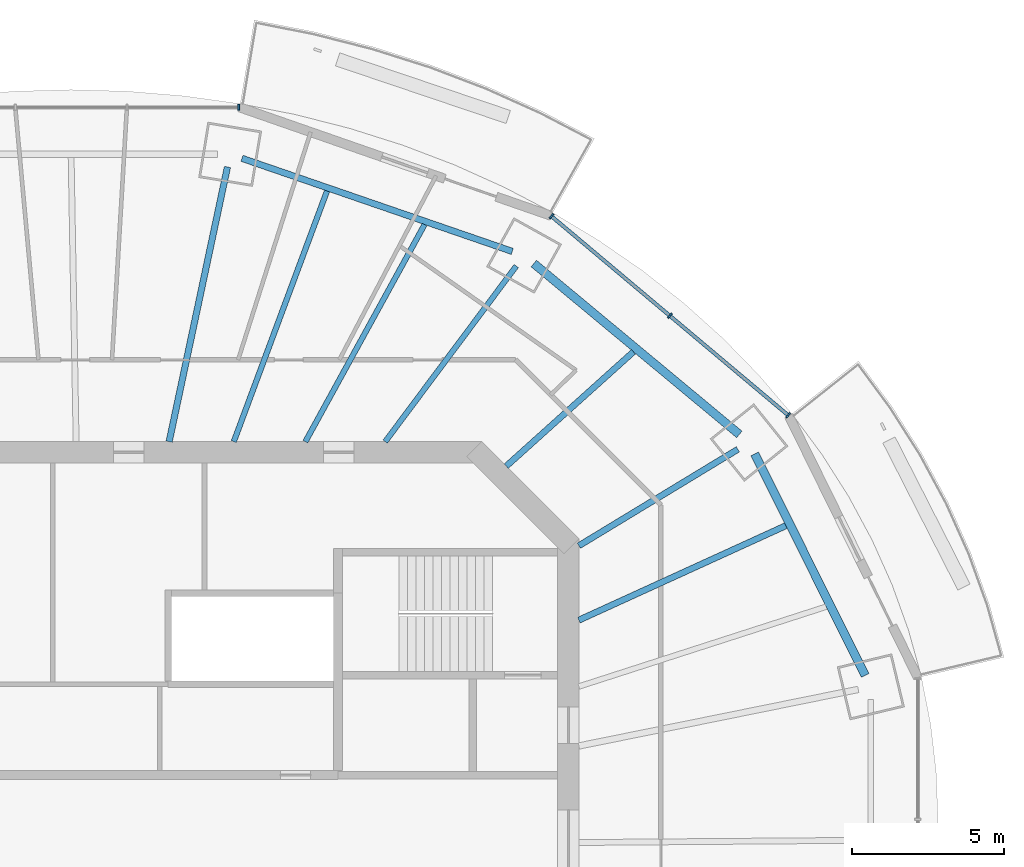
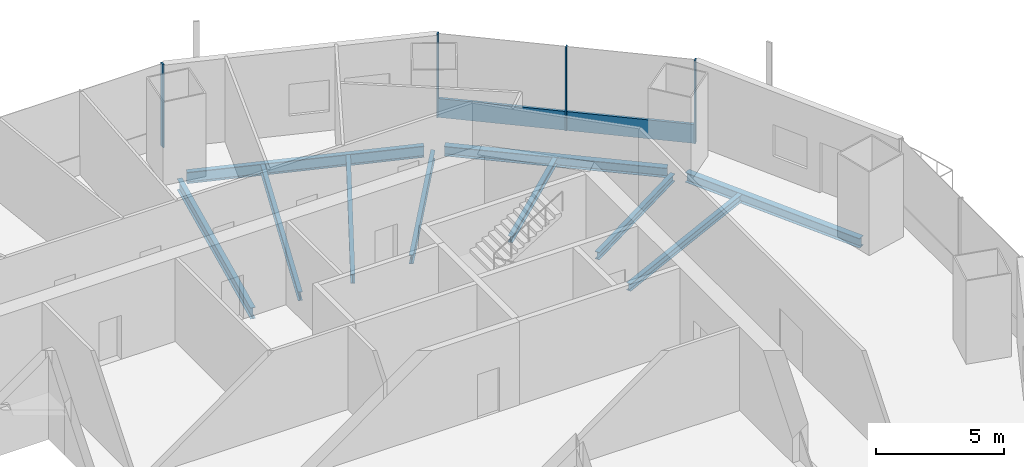
# One storey, part 6 of 16: 10 beams, 5 members, 2 elements without a shape of their own.
"""IFC4 building model written with IfcOpenShell, lengths in metres."""

import ifcopenshell
import ifcopenshell.guid

model = None  # the IFC model being written
_history = None  # IfcOwnerHistory: only IFC2X3 demands one
_inside = {}  # id of a spatial element -> (the spatial element, [elements in it])
_under = {}  # id of a project, library or spatial element -> (it, [spatial elements below it])
_declared = {}  # id of a project -> (the project, [libraries it declares])
_typed = {}  # id of a type object -> (the type object, [elements of that type])
_made_of = {}  # id of a material, layer set ... -> (it, [elements and type objects made of it])


def new_model(schema):
    """Start an empty IFC model of exactly this schema.

    Asked for "IFC4X3", IfcOpenShell would pick the latest addendum, in which some entities
    have other attributes; the version numbers below select the first issue.
    IFC2X3 requires an IfcOwnerHistory on every rooted entity: one is made here for all.
    """
    global model, _history
    if schema == "IFC4X3":
        model = ifcopenshell.file(schema_version=(4, 3, 0, 0))
    else:
        model = ifcopenshell.file(schema=schema)
    _inside.clear()
    _under.clear()
    _declared.clear()
    _typed.clear()
    _made_of.clear()
    _history = None
    if model.schema == "IFC2X3":
        org = make("IfcOrganization", Name="unknown")
        user = make(
            "IfcPersonAndOrganization",
            ThePerson=make("IfcPerson", FamilyName="unknown"),
            TheOrganization=org,
        )
        app = make(
            "IfcApplication",
            ApplicationDeveloper=org,
            Version="unknown",
            ApplicationFullName="unknown",
            ApplicationIdentifier="unknown",
        )
        _history = make(
            "IfcOwnerHistory",
            OwningUser=user,
            OwningApplication=app,
            ChangeAction="ADDED",
            CreationDate=0,
        )
    return model


def make(cls, **values):
    """One entity of the class cls with the attributes given. An attribute that is None is left unset."""
    return model.create_entity(
        cls, **{name: value for name, value in values.items() if value is not None}
    )


def rooted(cls, **values):
    """An entity with a GlobalId (a new one), such as an element, a storey or a relation."""
    return make(cls, GlobalId=ifcopenshell.guid.new(), OwnerHistory=_history, **values)


def si_unit(unit_type, name, prefix=None):
    """IfcSIUnit, for example si_unit("LENGTHUNIT", "METRE", prefix="MILLI")."""
    return make("IfcSIUnit", UnitType=unit_type, Prefix=prefix, Name=name)


def assignment(units):
    """IfcUnitAssignment: the units of a project."""
    return None if units is None else make("IfcUnitAssignment", Units=units)


def point(xyz):
    """IfcCartesianPoint."""
    return None if xyz is None else make("IfcCartesianPoint", Coordinates=xyz)


def direction(xyz):
    """IfcDirection."""
    return None if xyz is None else make("IfcDirection", DirectionRatios=xyz)


def frame(location, z_axis=None, x_axis=None):
    """IfcAxis2Placement3D, a coordinate frame: its origin and axes. An axis left out is left unset."""
    return make(
        "IfcAxis2Placement3D",
        Location=point(location),
        Axis=direction(z_axis),
        RefDirection=direction(x_axis),
    )


def frame_2d(location, x_axis=None):
    """IfcAxis2Placement2D, a coordinate frame in the plane: its origin and x axis."""
    return make(
        "IfcAxis2Placement2D", Location=point(location), RefDirection=direction(x_axis)
    )


def origin():
    """The frame at (0, 0, 0) with its axes left unset."""
    return frame((0.0, 0.0, 0.0))


def origin_2d():
    """The frame at (0, 0) in the plane with its x axis left unset."""
    return frame_2d((0.0, 0.0))


def place(relative_to, where):
    """IfcLocalPlacement: puts the frame where relative to a parent placement (None: the world)."""
    return make(
        "IfcLocalPlacement", PlacementRelTo=relative_to, RelativePlacement=where
    )


def context(
    kind, dimensions, precision=None, world=None, true_north=None, identifier=None
):
    """IfcGeometricRepresentationContext, for example the 3D "Model" context."""
    return make(
        "IfcGeometricRepresentationContext",
        ContextIdentifier=identifier,
        ContextType=kind,
        CoordinateSpaceDimension=dimensions,
        Precision=precision,
        WorldCoordinateSystem=world,
        TrueNorth=true_north,
    )


def subcontext(parent, identifier, kind, view, scale=None):
    """IfcGeometricRepresentationSubContext, for example "Body" below "Model"."""
    return make(
        "IfcGeometricRepresentationSubContext",
        ContextIdentifier=identifier,
        ContextType=kind,
        ParentContext=parent,
        TargetScale=scale,
        TargetView=view,
    )


def project(units=None, contexts=None):
    """IfcProject with its units and contexts."""
    return rooted(
        "IfcProject",
        Name="project",
        RepresentationContexts=contexts,
        UnitsInContext=assignment(units),
    )


def spatial(cls, under=None, at=None, **own):
    """A site, building, storey or space (cls), placed at a placement, below another one or the project."""
    s = rooted(cls, ObjectPlacement=at, **own)
    if under is not None:
        _under.setdefault(under.id(), (under, []))[1].append(s)
    return s


def profile(cls, at=None, kind="AREA", **sizes):
    """A parametric profile (cls). Its sizes go by their IFC names, for example OverallWidth=200.0."""
    return make(cls, ProfileType=kind, Position=at, **sizes)


def rectangle(**sizes):
    """IfcRectangleProfileDef."""
    return profile("IfcRectangleProfileDef", **sizes)


def i_section(**sizes):
    """IfcIShapeProfileDef."""
    return profile("IfcIShapeProfileDef", **sizes)


def extrude(swept, where, along, depth):
    """IfcExtrudedAreaSolid: the profile swept, set in the frame where, extruded along a direction by depth."""
    return make(
        "IfcExtrudedAreaSolid",
        SweptArea=swept,
        Position=where,
        ExtrudedDirection=direction(along),
        Depth=depth,
    )


def shape(context_of_items, identifier, shape_type, items):
    """IfcShapeRepresentation: the items that make up one representation, for example the "Body"."""
    return make(
        "IfcShapeRepresentation",
        ContextOfItems=context_of_items,
        RepresentationIdentifier=identifier,
        RepresentationType=shape_type,
        Items=items,
    )


def material(Name=None, Category=None):
    """IfcMaterial."""
    return make("IfcMaterial", Name=Name, Category=Category)


def material_profile(
    of_material, cross_section, Name=None, Category=None, Priority=None
):
    """IfcMaterialProfile: a cross section and its material."""
    return make(
        "IfcMaterialProfile",
        Name=Name,
        Material=of_material,
        Profile=cross_section,
        Priority=Priority,
        Category=Category,
    )


def profile_set(profiles, Name=None, composite=None):
    """IfcMaterialProfileSet."""
    return make(
        "IfcMaterialProfileSet",
        Name=Name,
        MaterialProfiles=profiles,
        CompositeProfile=composite,
    )


def made_of(thing, what):
    """Note that an element or type object is made of a material, layer set ...; save() writes the relation."""
    if what is not None:
        _made_of.setdefault(what.id(), (what, []))[1].append(thing)
    return thing


def type_object(cls, material=None, **own):
    """A type object (cls), such as IfcWallType, which elements share."""
    return made_of(rooted(cls, **own), material)


def element(
    cls,
    number,
    at=None,
    inside=None,
    cuts=None,
    type_object=None,
    material=None,
    context=None,
    identifier="Body",
    shape_type=None,
    held_by="IfcProductDefinitionShape",
    body=None,
    shapes=None,
    **own,
):
    """One element of the class cls, such as IfcWall. Its Tag is "e" and its number.

    at: its placement. inside: the storey or other place that contains it. cuts: it is an
    opening in that element (IfcRelVoidsElement). A single representation is given by context,
    identifier, shape_type and body (its items); several are given by shapes. held_by: the class
    of the entity that holds the representations. save() writes the other relations.
    """
    e = rooted(cls, Tag="e%d" % number, ObjectPlacement=at, **own)
    if body is not None:
        shapes = [shape(context, identifier, shape_type, body)]
    if shapes is not None:
        e.Representation = make(held_by, Representations=shapes)
    if inside is not None:
        _inside.setdefault(inside.id(), (inside, []))[1].append(e)
    if cuts is not None:
        rooted(
            "IfcRelVoidsElement", RelatingBuildingElement=cuts, RelatedOpeningElement=e
        )
    if type_object is not None:
        _typed.setdefault(type_object.id(), (type_object, []))[1].append(e)
    return made_of(e, material)


def aggregate(whole, parts):
    """IfcRelAggregates: a whole, such as a stair, and the parts it consists of."""
    return rooted("IfcRelAggregates", RelatingObject=whole, RelatedObjects=parts)


def save(model, path):
    """Write the relations noted so far, then the file.

    IfcRelAggregates (storeys below a building ...), IfcRelContainedInSpatialStructure (elements
    in a storey), IfcRelDefinesByType, IfcRelAssociatesMaterial and IfcRelDeclares: one each for
    every whole, place, type object, material and project.
    """
    for whole, parts in _under.values():
        aggregate(whole, parts)
    for where, things in _inside.values():
        rooted(
            "IfcRelContainedInSpatialStructure",
            RelatedElements=things,
            RelatingStructure=where,
        )
    for kind, things in _typed.values():
        rooted("IfcRelDefinesByType", RelatedObjects=things, RelatingType=kind)
    for what, things in _made_of.values():
        rooted("IfcRelAssociatesMaterial", RelatedObjects=things, RelatingMaterial=what)
    for by, libraries in _declared.values():
        rooted("IfcRelDeclares", RelatingContext=by, RelatedDefinitions=libraries)
    model.write(path)


model = new_model("IFC4")

# Units and contexts
model_context = context("Model", 3, precision=1e-05, world=origin(), true_north=direction((0.0, 1.0)))
body_context = subcontext(model_context, "Body", "Model", "MODEL_VIEW")
ifc_project = project(units=[si_unit("LENGTHUNIT", "METRE"), si_unit("AREAUNIT", "SQUARE_METRE"), si_unit("VOLUMEUNIT", "CUBIC_METRE"), si_unit("PLANEANGLEUNIT", "RADIAN"), si_unit("MASSUNIT", "GRAM", prefix="KILO")], contexts=[model_context])

# Site, building, storey
site_placement = place(None, origin())
site = spatial("IfcSite", under=ifc_project, at=site_placement, CompositionType="ELEMENT")
building_placement = place(site_placement, origin())
building = spatial("IfcBuilding", under=site, at=building_placement, Name="Marenthal Gate Tower", CompositionType="ELEMENT")
storey_placement = place(building_placement, frame((0.0, 0.0, 301.10009765625)))
storey = spatial("IfcBuildingStorey", under=building, at=storey_placement, Name="L67", CompositionType="ELEMENT", Elevation=301.10009765625)

# Curtain wall, members
ifc_material_1 = material(Name="Aluminium and glass", Category="aluminium")
curtain_wall_type = type_object("IfcCurtainWallType", Name="Curtain wall typical high", PredefinedType="NOTDEFINED", material=ifc_material_1)
curtain_wall_1_placement = place(storey_placement, origin())
curtain_wall_1 = element("IfcCurtainWall", 1, at=curtain_wall_1_placement, inside=storey, type_object=curtain_wall_type, Name="Curtain wall L67 bay 2", PredefinedType="NOTDEFINED")
ifc_material_2 = material(Name="Aluminium", Category="aluminium")
ifc_material_profile_1 = material_profile(ifc_material_2, rectangle(XDim=0.199951171875, YDim=0.06005859375, at=origin_2d()), Name="60x200 aluminium mullion")
ifc_profile_set_1 = profile_set([ifc_material_profile_1], Name="Aluminium")
member_type_1 = type_object("IfcMemberType", Name="Mullion 60x200 typical high", PredefinedType="MULLION", material=ifc_profile_set_1)
member_1_placement = place(storey_placement, frame((23.25390625, 14.218505859375, 0.0), z_axis=(0.0, 0.0, 1.0), x_axis=(-0.643479945432, -0.765462970905, 0.0)))
member_1 = element("IfcMember", 2, at=member_1_placement, type_object=member_type_1, Name="Mullion L67 bay 2.1", PredefinedType="MULLION", context=body_context, shape_type="SweptSolid", body=[
    extrude(rectangle(XDim=0.199951171875, YDim=0.06005859375, at=origin_2d()), origin(), (0.0, 0.0, 1.0), 3.969970703125),
])
member_2_placement = place(storey_placement, frame((19.3486328125, 17.50146484375, 0.0), z_axis=(0.0, 0.0, 1.0), x_axis=(-0.643479945432, -0.765462970905, 0.0)))
member_2 = element("IfcMember", 3, at=member_2_placement, type_object=member_type_1, Name="Mullion L67 bay 2.2", PredefinedType="MULLION", context=body_context, shape_type="SweptSolid", body=[
    extrude(rectangle(XDim=0.199951171875, YDim=0.06005859375, at=origin_2d()), origin(), (0.0, 0.0, 1.0), 3.969970703125),
])
member_3_placement = place(storey_placement, frame((15.443359375, 20.784423828125, 0.0), z_axis=(0.0, 0.0, 1.0), x_axis=(-0.643479945432, -0.765462970905, 0.0)))
member_3 = element("IfcMember", 4, at=member_3_placement, type_object=member_type_1, Name="Mullion L67 bay 2.3", PredefinedType="MULLION", context=body_context, shape_type="SweptSolid", body=[
    extrude(rectangle(XDim=0.199951171875, YDim=0.06005859375, at=origin_2d()), origin(), (0.0, 0.0, 1.0), 3.969970703125),
])

# Curtain wall, member
curtain_wall_2_placement = place(storey_placement, origin())
curtain_wall_2 = element("IfcCurtainWall", 5, at=curtain_wall_2_placement, inside=storey, type_object=curtain_wall_type, Name="Curtain wall L67 bay 4", PredefinedType="NOTDEFINED")
member_4_placement = place(storey_placement, frame((5.12548828125, 24.3779296875, 0.0), z_axis=(0.0, 0.0, 1.0), x_axis=(0.0, -1.0, 0.0)))
member_4 = element("IfcMember", 6, at=member_4_placement, type_object=member_type_1, Name="Mullion L67 bay 4.1", PredefinedType="MULLION", context=body_context, shape_type="SweptSolid", body=[
    extrude(rectangle(XDim=0.199951171875, YDim=0.06005859375, at=origin_2d()), origin(), (0.0, 0.0, 1.0), 3.969970703125),
])
aggregate(curtain_wall_2, [member_4])

# Member
ifc_material_3 = material(Name="Aluminium", Category="aluminium")
ifc_material_profile_2 = material_profile(ifc_material_3, rectangle(XDim=0.1201171875, YDim=0.89990234375, at=origin_2d()), Name="120x900 aluminium transom")
ifc_profile_set_2 = profile_set([ifc_material_profile_2], Name="Aluminium")
member_type_2 = type_object("IfcMemberType", Name="Transom 120x900 typical high", PredefinedType="USERDEFINED", material=ifc_profile_set_2)
member_5_placement = place(storey_placement, frame((23.23095703125, 14.23779296875, 0.449951171875), z_axis=(-0.765460155219, 0.643483294866, 0.0), x_axis=(-0.643483294866, -0.765460155219, 0.0)))
member_5 = element("IfcMember", 7, at=member_5_placement, type_object=member_type_2, Name="Transom L67 bay 2", ObjectType="TRANSOM", PredefinedType="USERDEFINED", context=body_context, shape_type="SweptSolid", body=[
    extrude(rectangle(XDim=0.1201171875, YDim=0.89990234375, at=origin_2d()), origin(), (0.0, 0.0, 1.0), 10.143798828125),
])

aggregate(curtain_wall_1, [member_1, member_2, member_3, member_5])

# Beams
ifc_material_4 = material(Name="Steel S355", Category="steel")
ifc_material_profile_3 = material_profile(ifc_material_4, i_section(OverallWidth=0.202880859375, OverallDepth=0.302001953125, WebThickness=0.007568359375, FlangeThickness=0.01318359375, FilletRadius=0.0126953125, at=origin_2d()), Name="W310X60")
ifc_profile_set_3 = profile_set([ifc_material_profile_3], Name="Steel S355")
beam_type_1 = type_object("IfcBeamType", Name="W310X60 beam", PredefinedType="BEAM", material=ifc_profile_set_3)
beam_1_placement = place(storey_placement, frame((18.148193359375, 16.3115234375, -0.3310546875), z_axis=(-0.743743846244, -0.668464726948, 0.0), x_axis=(0.668464726948, -0.743743846244, 0.0)))
element("IfcBeam", 8, at=beam_1_placement, inside=storey, type_object=beam_type_1, Name="BM-L67-19", PredefinedType="BEAM", context=body_context, shape_type="SweptSolid", body=[
    extrude(i_section(OverallWidth=0.202880859375, OverallDepth=0.302001953125, WebThickness=0.007568359375, FlangeThickness=0.01318359375, FilletRadius=0.0126953125, at=origin_2d()), origin(), (0.0, 0.0, 1.0), 5.639892578125),
])
ifc_material_5 = material(Name="Steel S355", Category="steel")
ifc_material_profile_4 = material_profile(ifc_material_5, i_section(OverallWidth=0.205078125, OverallDepth=0.35302734375, WebThickness=0.009521484375, FlangeThickness=0.016845703125, FilletRadius=0.014892578125, at=origin_2d()), Name="W360X79")
ifc_profile_set_4 = profile_set([ifc_material_profile_4], Name="Steel S355")
beam_type_2 = type_object("IfcBeamType", Name="W360X79 beam", PredefinedType="BEAM", material=ifc_profile_set_4)
beam_2_placement = place(storey_placement, frame((21.593017578125, 13.0966796875, -0.356689453125), z_axis=(-0.855023977864, -0.518588466202, 0.0), x_axis=(0.518588466202, -0.855023977864, 0.0)))
element("IfcBeam", 9, at=beam_2_placement, inside=storey, type_object=beam_type_2, Name="BM-L67-02", PredefinedType="BEAM", context=body_context, shape_type="SweptSolid", body=[
    extrude(i_section(OverallWidth=0.205078125, OverallDepth=0.35302734375, WebThickness=0.009521484375, FlangeThickness=0.016845703125, FilletRadius=0.014892578125, at=origin_2d()), origin(), (0.0, 0.0, 1.0), 6.1318359375),
])
beam_3_placement = place(storey_placement, frame((23.1748046875, 10.576904296875, -0.356689453125), z_axis=(-0.909732366313, -0.415195160958, 0.0), x_axis=(0.415195160958, -0.909732366313, 0.0)))
element("IfcBeam", 10, at=beam_3_placement, inside=storey, type_object=beam_type_2, Name="BM-L67-18", PredefinedType="BEAM", context=body_context, shape_type="SweptSolid", body=[
    extrude(i_section(OverallWidth=0.205078125, OverallDepth=0.35302734375, WebThickness=0.009521484375, FlangeThickness=0.016845703125, FilletRadius=0.014892578125, at=origin_2d()), origin(), (0.0, 0.0, 1.0), 7.501953125),
])
ifc_material_6 = material(Name="Steel S355", Category="steel")
ifc_material_profile_5 = material_profile(ifc_material_6, i_section(OverallWidth=0.180908203125, OverallDepth=0.4169921875, WebThickness=0.010986328125, FlangeThickness=0.018310546875, FilletRadius=0.01025390625, at=origin_2d()), Name="W410X85")
ifc_profile_set_5 = profile_set([ifc_material_profile_5], Name="Steel S355")
beam_type_3 = type_object("IfcBeamType", Name="W410X85 beam", PredefinedType="BEAM", material=ifc_profile_set_5)
beam_4_placement = place(storey_placement, frame((14.283447265625, 19.142578125, -0.388671875), z_axis=(-0.598041666214, -0.801465012008, 0.0), x_axis=(0.801465012008, -0.598041666214, 0.0)))
element("IfcBeam", 11, at=beam_4_placement, inside=storey, type_object=beam_type_3, Name="BM-L67-03", PredefinedType="BEAM", context=body_context, shape_type="SweptSolid", body=[
    extrude(i_section(OverallWidth=0.180908203125, OverallDepth=0.4169921875, WebThickness=0.010986328125, FlangeThickness=0.018310546875, FilletRadius=0.01025390625, at=origin_2d()), origin(), (0.0, 0.0, 1.0), 7.227294921875),
])
beam_5_placement = place(storey_placement, frame((11.259033203125, 20.508544921875, -0.388671875), z_axis=(-0.481240344401, -0.876588689706, 0.0), x_axis=(0.876588689706, -0.481240344401, 0.0)))
element("IfcBeam", 12, at=beam_5_placement, inside=storey, type_object=beam_type_3, Name="BM-L67-20", PredefinedType="BEAM", context=body_context, shape_type="SweptSolid", body=[
    extrude(i_section(OverallWidth=0.180908203125, OverallDepth=0.4169921875, WebThickness=0.010986328125, FlangeThickness=0.018310546875, FilletRadius=0.01025390625, at=origin_2d()), origin(), (0.0, 0.0, 1.0), 8.166259765625),
])
beam_6_placement = place(storey_placement, frame((8.0419921875, 21.6162109375, -0.388671875), z_axis=(-0.348701480511, -0.937233843547, 0.0), x_axis=(0.937233843547, -0.348701480511, 0.0)))
element("IfcBeam", 13, at=beam_6_placement, inside=storey, type_object=beam_type_3, Name="BM-L67-21", PredefinedType="BEAM", context=body_context, shape_type="SweptSolid", body=[
    extrude(i_section(OverallWidth=0.180908203125, OverallDepth=0.4169921875, WebThickness=0.010986328125, FlangeThickness=0.018310546875, FilletRadius=0.01025390625, at=origin_2d()), origin(), (0.0, 0.0, 1.0), 8.819580078125),
])
ifc_material_7 = material(Name="Steel S355", Category="steel")
ifc_material_profile_6 = material_profile(ifc_material_7, i_section(OverallWidth=0.279052734375, OverallDepth=0.4619140625, WebThickness=0.0107421875, FlangeThickness=0.017333984375, FilletRadius=0.010009765625, at=origin_2d()), Name="W460X113")
ifc_profile_set_6 = profile_set([ifc_material_profile_6], Name="Steel S355")
beam_type_4 = type_object("IfcBeamType", Name="W460X113 beam", PredefinedType="BEAM", material=ifc_profile_set_6)
beam_7_placement = place(storey_placement, frame((25.790283203125, 5.64111328125, -0.4111328125), z_axis=(-0.446016397949, 0.895024788908, 0.0), x_axis=(-0.895024788908, -0.446016397949, 0.0)))
element("IfcBeam", 14, at=beam_7_placement, inside=storey, type_object=beam_type_4, Name="BM-L67-41", PredefinedType="BEAM", context=body_context, shape_type="SweptSolid", body=[
    extrude(i_section(OverallWidth=0.279052734375, OverallDepth=0.4619140625, WebThickness=0.0107421875, FlangeThickness=0.017333984375, FilletRadius=0.010009765625, at=origin_2d()), origin(), (0.0, 0.0, 1.0), 8.159912109375),
])
beam_8_placement = place(storey_placement, frame((21.6416015625, 13.5888671875, -0.4111328125), z_axis=(-0.769010658492, 0.639235955752, 0.0), x_axis=(-0.639235955752, -0.769010658492, 0.0)))
element("IfcBeam", 15, at=beam_8_placement, inside=storey, type_object=beam_type_4, Name="BM-L67-42", PredefinedType="BEAM", context=body_context, shape_type="SweptSolid", body=[
    extrude(i_section(OverallWidth=0.279052734375, OverallDepth=0.4619140625, WebThickness=0.0107421875, FlangeThickness=0.017333984375, FilletRadius=0.010009765625, at=origin_2d()), origin(), (0.0, 0.0, 1.0), 8.815673828125),
])
ifc_material_8 = material(Name="Steel S355", Category="steel")
ifc_material_profile_7 = material_profile(ifc_material_8, i_section(OverallWidth=0.2099609375, OverallDepth=0.535888671875, WebThickness=0.010986328125, FlangeThickness=0.017333984375, FilletRadius=0.0126953125, at=origin_2d()), Name="W530X101")
ifc_profile_set_7 = profile_set([ifc_material_profile_7], Name="Steel S355")
beam_type_5 = type_object("IfcBeamType", Name="W530X101 beam", PredefinedType="BEAM", material=ifc_profile_set_7)
beam_9_placement = place(storey_placement, frame((4.758544921875, 22.41162109375, -0.447998046875), z_axis=(-0.207678454647, -0.97819714755, 0.0), x_axis=(0.97819714755, -0.207678454647, 0.0)))
element("IfcBeam", 16, at=beam_9_placement, inside=storey, type_object=beam_type_5, Name="BM-L67-04", PredefinedType="BEAM", context=body_context, shape_type="SweptSolid", body=[
    extrude(i_section(OverallWidth=0.2099609375, OverallDepth=0.535888671875, WebThickness=0.010986328125, FlangeThickness=0.017333984375, FilletRadius=0.0126953125, at=origin_2d()), origin(), (0.0, 0.0, 1.0), 9.263427734375),
])
ifc_material_9 = material(Name="Steel S355", Category="steel")
ifc_material_profile_8 = material_profile(ifc_material_9, i_section(OverallWidth=0.2119140625, OverallDepth=0.5439453125, WebThickness=0.01318359375, FlangeThickness=0.021240234375, FilletRadius=0.0126953125, at=origin_2d()), Name="W530X123")
ifc_profile_set_8 = profile_set([ifc_material_profile_8], Name="Steel S355")
beam_type_6 = type_object("IfcBeamType", Name="W530X123 beam", PredefinedType="BEAM", material=ifc_profile_set_8)
beam_10_placement = place(storey_placement, frame((14.151123046875, 19.624755859375, -0.4521484375), z_axis=(-0.945516546664, 0.325574046853, 0.0), x_axis=(-0.325574046853, -0.945516546664, 0.0)))
element("IfcBeam", 17, at=beam_10_placement, inside=storey, type_object=beam_type_6, Name="BM-L67-43", PredefinedType="BEAM", context=body_context, shape_type="SweptSolid", body=[
    extrude(i_section(OverallWidth=0.2119140625, OverallDepth=0.5439453125, WebThickness=0.01318359375, FlangeThickness=0.021240234375, FilletRadius=0.0126953125, at=origin_2d()), origin(), (0.0, 0.0, 1.0), 9.427490234375),
])

save(model, "model.ifc")
